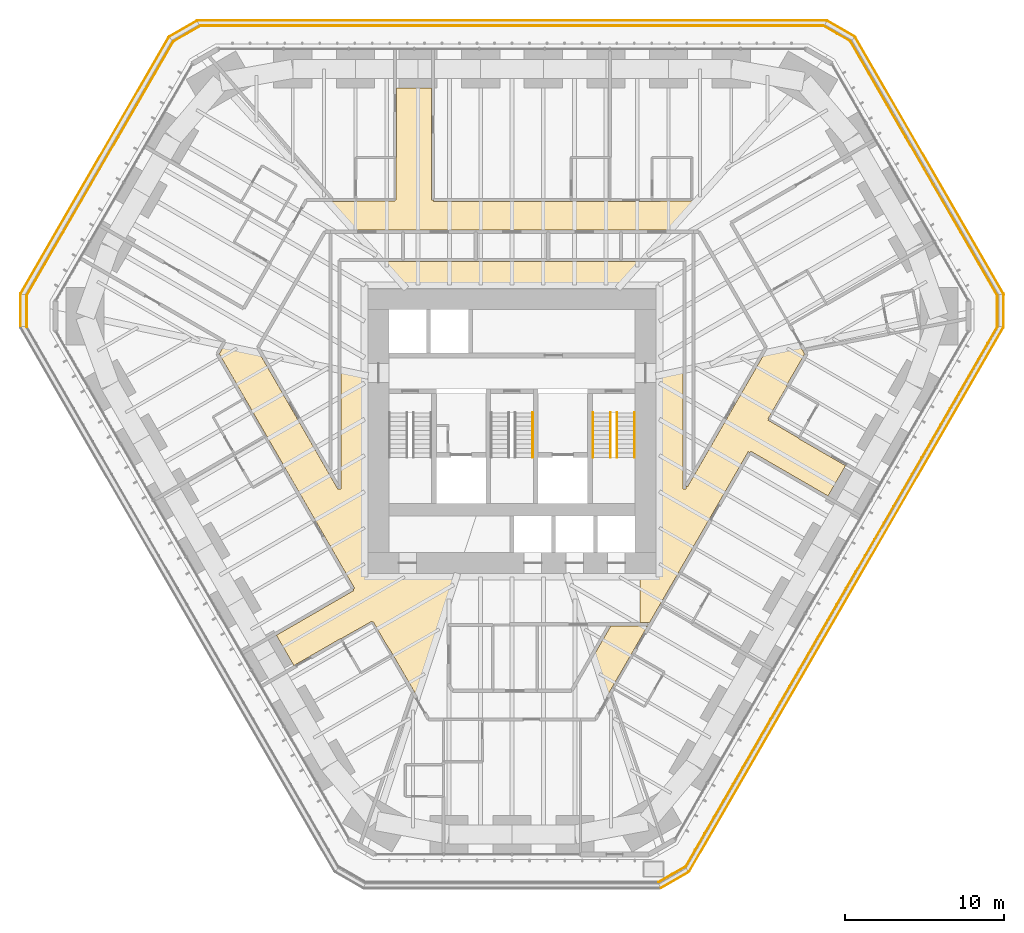
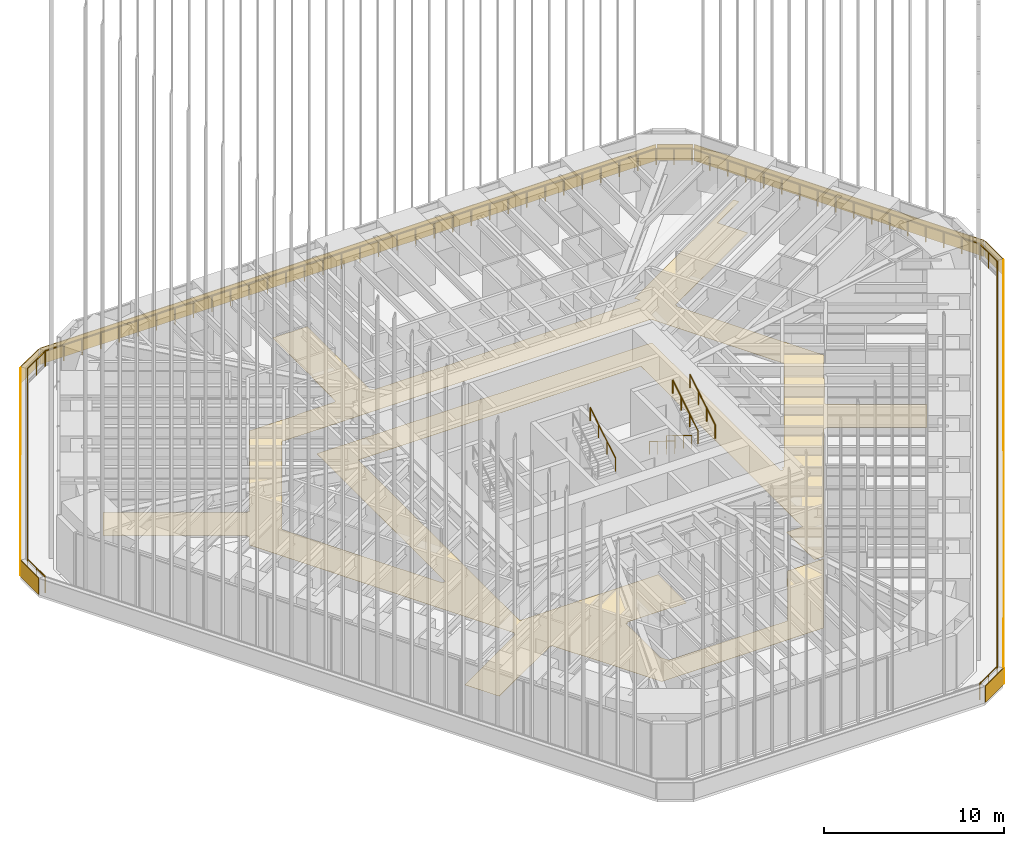
# One storey, part 238 of 238: 14 railings, 10 coverings.
"""IFC4 building model written with IfcOpenShell, lengths in metres."""

from ifc_helpers import new_model, si_unit, direction, frame, frame_2d, origin, origin_2d, place, context, subcontext, project, spatial, polyline, rectangle, circle, outline, extrude, material, layer, layer_set, type_object, element, save


model = new_model("IFC4")

# Units and contexts
model_context = context("Model", 3, precision=1e-05, world=origin(), true_north=direction((0.0, 1.0)))
body_context = subcontext(model_context, "Body", "Model", "MODEL_VIEW")
ifc_project = project(units=[si_unit("LENGTHUNIT", "METRE"), si_unit("AREAUNIT", "SQUARE_METRE"), si_unit("VOLUMEUNIT", "CUBIC_METRE"), si_unit("PLANEANGLEUNIT", "RADIAN"), si_unit("MASSUNIT", "GRAM", prefix="KILO")], contexts=[model_context])

# Site, building, storey
site_placement = place(None, origin())
site = spatial("IfcSite", under=ifc_project, at=site_placement, CompositionType="ELEMENT")
building_placement = place(site_placement, origin())
building = spatial("IfcBuilding", under=site, at=building_placement, Name="Sandreach Pilgrim Tower", CompositionType="ELEMENT")
storey_placement = place(building_placement, frame((0.0, 0.0, 96.800048828125)))
storey = spatial("IfcBuildingStorey", under=building, at=storey_placement, Name="L23", CompositionType="ELEMENT", Elevation=96.800048828125)

# Covering
ifc_material_1 = material(Name="Nylon carpet tile on the slab", Category="textile")
ifc_layer_1 = layer(ifc_material_1, 0.008056640625)
ifc_layer_set_1 = layer_set([ifc_layer_1], Name="Carpet tile")
covering_type_1 = type_object("IfcCoveringType", Name="Carpet tile", PredefinedType="FLOORING", material=ifc_layer_set_1)
covering_1_placement = place(storey_placement, origin())
element("IfcCovering", 1, at=covering_1_placement, inside=storey, type_object=covering_type_1, Name="Floor finish 23C Corridor 23", PredefinedType="FLOORING", context=body_context, shape_type="SweptSolid", body=[
    extrude(outline(polyline([(-24.987548828125, 8.184814453125), (-23.88671875, 10.09130859375), (-16.929931640625, 6.073486328125), (-16.869873046875, 6.165771484375), (-16.788330078125, 6.11865234375), (-12.872314453125, 12.889892578125), (-9.81005859375, 12.889892578125), (-9.81005859375, 12.929931640625), (-7.360107421875, 12.929931640625), (-7.360107421875, 12.989013671875), (-7.300048828125, 12.989990234375), (-7.284912109375, 15.659912109375), (-7.260009765625, 15.659912109375), (-7.260009765625, 20.03369140625), (-5.06005859375, 20.03369140625), (-5.06005859375, 12.989990234375), (-4.949951171875, 12.989990234375), (-4.949951171875, 12.889892578125), (8.820068359375, 12.889892578125), (10.1357421875, 12.929931640625), (11.25, 12.929931640625), (11.25, 12.9638671875), (11.295166015625, 12.950439453125), (11.308349609375, 12.965576171875), (12.234375, 12.993896484375), (12.049560546875, 13.314208984375), (21.58447265625, 18.8193359375), (21.759521484375, 18.515625), (19.707275390625, 17.33056640625), (20.6796875, 15.646240234375), (13.719970703125, 11.626708984375), (13.7724609375, 11.52978515625), (13.6884765625, 11.4814453125), (18.412109375, 3.2958984375), (17.263427734375, 1.31005859375), (17.306396484375, 1.28515625), (16.09814453125, -0.7900390625), (16.14892578125, -0.8193359375), (16.119873046875, -0.871826171875), (18.032470703125, -1.9951171875), (18.02001953125, -2.0166015625), (20.981201171875, -3.72705078125), (19.880615234375, -5.63330078125), (15.012939453125, -2.82080078125), (14.962890625, -2.907470703125), (14.863525390625, -2.85009765625), (8.6533203125, -13.60009765625), (8.050048828125, -13.60009765625), (8.050048828125, -10.52001953125), (9.070068359375, -10.52001953125), (9.070068359375, 7.419921875), (-9.070068359375, 7.419921875), (-9.070068359375, -10.52001953125), (-0.175048828125, -10.52001953125), (-0.175048828125, -13.68994140625), (-1.199951171875, -13.67919921875), (-1.199951171875, -13.64990234375), (-3.989990234375, -13.64990234375), (-3.989990234375, -13.75), (-4.10009765625, -13.75), (-4.10009765625, -17.487060546875), (-3.8076171875, -17.989990234375), (3.8076171875, -17.989990234375), (6.2265625, -13.800048828125), (8.537353515625, -13.800048828125), (5.192138671875, -19.590087890625), (-5.192138671875, -19.590087890625), (-7.503662109375, -15.599853515625), (-8.030029296875, -14.767333984375), (-8.738037109375, -13.5400390625), (-8.787841796875, -13.56884765625), (-8.820068359375, -13.51806640625), (-10.748046875, -14.614013671875), (-10.760009765625, -14.593505859375), (-13.72021484375, -16.30322265625), (-14.821044921875, -14.396728515625), (-9.952880859375, -11.583984375), (-10.00048828125, -11.501708984375), (-9.9033203125, -11.440185546875), (-18.41455078125, 3.30029296875), (-18.0009765625, 4.01708984375), (-18.083251953125, 4.064453125), (-18.030029296875, 4.16650390625), (-24.987548828125, 8.184814453125)]), holes=[polyline([(-16.095458984375, 3.699951171875), (-10.965576171875, -5.18994140625), (-10.85009765625, -5.19482421875), (-10.75, -5.18994140625), (-10.75, 9.10009765625), (10.75, 9.10009765625), (10.75, -5.18994140625), (10.949951171875, -5.18994140625), (10.949951171875, -4.99365234375), (11.047119140625, -5.050048828125), (16.095458984375, 3.699951171875), (11.82763671875, 11.090087890625), (-11.82763671875, 11.090087890625), (-16.095458984375, 3.699951171875)])]), origin(), (0.0, 0.0, 1.0), 0.008056640625),
])

# Railings
ifc_material_2 = material(Name="Galvanised steel guardrail", Category="steel")
railing_type_1 = type_object("IfcRailingType", Name="Setback roof guard", PredefinedType="GUARDRAIL", material=ifc_material_2)
railing_1_placement = place(storey_placement, frame((-19.592041015625, 23.939208984375, 0.0)))
element("IfcRailing", 2, at=railing_1_placement, inside=storey, type_object=railing_type_1, Name="Setback maintenance roof guard L23 1", PredefinedType="GUARDRAIL", context=body_context, shape_type="SweptSolid", body=[
    extrude(circle(Radius=0.02392578125, at=origin_2d()), frame((0.0, 0.0, 1.076171875), z_axis=(-0.86721455478, -0.497934650308, 0.0), x_axis=(0.497934650308, -0.86721455478, 0.0)), (0.0, 0.0, 1.0), 1.975341796875),
    extrude(circle(Radius=0.02099609375, at=origin_2d()), origin(), (0.0, 0.0, 1.0), 1.052001953125),
    extrude(circle(Radius=0.02099609375, at=origin_2d()), frame((-0.8564453125, -0.49169921875, 0.0)), (0.0, 0.0, 1.0), 1.052001953125),
    extrude(circle(Radius=0.02099609375, at=origin_2d()), frame((-1.713134765625, -0.983642578125, 0.0)), (0.0, 0.0, 1.0), 1.052001953125),
])
railing_2_placement = place(storey_placement, frame((-21.30517578125, 22.95556640625, 0.0)))
element("IfcRailing", 3, at=railing_2_placement, inside=storey, type_object=railing_type_1, Name="Setback maintenance roof guard L23 2", PredefinedType="GUARDRAIL", context=body_context, shape_type="SweptSolid", body=[
    extrude(circle(Radius=0.02392578125, at=origin_2d()), frame((0.0, 0.0, 1.076171875), z_axis=(-0.500003393015, -0.866023444818, 0.0), x_axis=(0.866023444818, -0.500003393015, 0.0)), (0.0, 0.0, 1.0), 18.454833984375),
    extrude(circle(Radius=0.02099609375, at=origin_2d()), origin(), (0.0, 0.0, 1.0), 1.052001953125),
    extrude(circle(Radius=0.02099609375, at=origin_2d()), frame((-0.57666015625, -0.9990234375, 0.0)), (0.0, 0.0, 1.0), 1.052001953125),
    extrude(circle(Radius=0.02099609375, at=origin_2d()), frame((-1.1533203125, -1.997802734375, 0.0)), (0.0, 0.0, 1.0), 1.052001953125),
    extrude(circle(Radius=0.02099609375, at=origin_2d()), frame((-1.730224609375, -2.99658203125, 0.0)), (0.0, 0.0, 1.0), 1.052001953125),
    extrude(circle(Radius=0.02099609375, at=origin_2d()), frame((-2.306884765625, -3.99560546875, 0.0)), (0.0, 0.0, 1.0), 1.052001953125),
    extrude(circle(Radius=0.02099609375, at=origin_2d()), frame((-2.883544921875, -4.99462890625, 0.0)), (0.0, 0.0, 1.0), 1.052001953125),
    extrude(circle(Radius=0.02099609375, at=origin_2d()), frame((-3.46044921875, -5.993408203125, 0.0)), (0.0, 0.0, 1.0), 1.052001953125),
    extrude(circle(Radius=0.02099609375, at=origin_2d()), frame((-4.037109375, -6.9921875, 0.0)), (0.0, 0.0, 1.0), 1.052001953125),
    extrude(circle(Radius=0.02099609375, at=origin_2d()), frame((-4.61376953125, -7.9912109375, 0.0)), (0.0, 0.0, 1.0), 1.052001953125),
    extrude(circle(Radius=0.02099609375, at=origin_2d()), frame((-5.1904296875, -8.990234375, 0.0)), (0.0, 0.0, 1.0), 1.052001953125),
    extrude(circle(Radius=0.02099609375, at=origin_2d()), frame((-5.76708984375, -9.989013671875, 0.0)), (0.0, 0.0, 1.0), 1.052001953125),
    extrude(circle(Radius=0.02099609375, at=origin_2d()), frame((-6.343994140625, -10.98779296875, 0.0)), (0.0, 0.0, 1.0), 1.052001953125),
    extrude(circle(Radius=0.02099609375, at=origin_2d()), frame((-6.920654296875, -11.98681640625, 0.0)), (0.0, 0.0, 1.0), 1.052001953125),
    extrude(circle(Radius=0.02099609375, at=origin_2d()), frame((-7.497314453125, -12.98583984375, 0.0)), (0.0, 0.0, 1.0), 1.052001953125),
    extrude(circle(Radius=0.02099609375, at=origin_2d()), frame((-8.07421875, -13.984619140625, 0.0)), (0.0, 0.0, 1.0), 1.052001953125),
    extrude(circle(Radius=0.02099609375, at=origin_2d()), frame((-8.65087890625, -14.9833984375, 0.0)), (0.0, 0.0, 1.0), 1.052001953125),
    extrude(circle(Radius=0.02099609375, at=origin_2d()), frame((-9.2275390625, -15.982421875, 0.0)), (0.0, 0.0, 1.0), 1.052001953125),
])
railing_3_placement = place(storey_placement, frame((-30.53271484375, 6.97314453125, 0.0)))
element("IfcRailing", 4, at=railing_3_placement, inside=storey, type_object=railing_type_1, Name="Setback maintenance roof guard L23 3", PredefinedType="GUARDRAIL", context=body_context, shape_type="SweptSolid", body=[
    extrude(circle(Radius=0.02392578125, at=origin_2d()), frame((0.0, 0.0, 1.076171875), z_axis=(0.002471569317, -0.999996945668, 0.0), x_axis=(0.999996945668, 0.002471569317, 0.0)), (0.0, 0.0, 1.0), 1.9755859375),
    extrude(circle(Radius=0.02099609375, at=origin_2d()), origin(), (0.0, 0.0, 1.0), 1.052001953125),
    extrude(circle(Radius=0.02099609375, at=origin_2d()), frame((0.00244140625, -0.98779296875, 0.0)), (0.0, 0.0, 1.0), 1.052001953125),
    extrude(circle(Radius=0.02099609375, at=origin_2d()), frame((0.0048828125, -1.9755859375, 0.0)), (0.0, 0.0, 1.0), 1.052001953125),
])
railing_4_placement = place(storey_placement, frame((9.2275390625, -29.9287109375, 0.0)))
element("IfcRailing", 5, at=railing_4_placement, inside=storey, type_object=railing_type_1, Name="Setback maintenance roof guard L23 7", PredefinedType="GUARDRAIL", context=body_context, shape_type="SweptSolid", body=[
    extrude(circle(Radius=0.02392578125, at=origin_2d()), frame((0.0, 0.0, 1.076171875), z_axis=(0.86480798778, 0.502102722828, 0.0), x_axis=(-0.502102722828, 0.86480798778, 0.0)), (0.0, 0.0, 1.0), 1.9755859375),
    extrude(circle(Radius=0.02099609375, at=origin_2d()), origin(), (0.0, 0.0, 1.0), 1.052001953125),
    extrude(circle(Radius=0.02099609375, at=origin_2d()), frame((0.854248046875, 0.49609375, 0.0)), (0.0, 0.0, 1.0), 1.052001953125),
    extrude(circle(Radius=0.02099609375, at=origin_2d()), frame((1.70849609375, 0.991943359375, 0.0)), (0.0, 0.0, 1.0), 1.052001953125),
])
railing_5_placement = place(storey_placement, frame((10.93603515625, -28.936767578125, 0.0)))
element("IfcRailing", 6, at=railing_5_placement, inside=storey, type_object=railing_type_1, Name="Setback maintenance roof guard L23 8", PredefinedType="GUARDRAIL", context=body_context, shape_type="SweptSolid", body=[
    extrude(circle(Radius=0.02392578125, at=origin_2d()), frame((0.0, 0.0, 1.076171875), z_axis=(0.4999962585, 0.86602756393, 0.0), x_axis=(-0.86602756393, 0.4999962585, 0.0)), (0.0, 0.0, 1.0), 39.183837890625),
    extrude(circle(Radius=0.02099609375, at=origin_2d()), origin(), (0.0, 0.0, 1.0), 1.052001953125),
    extrude(circle(Radius=0.02099609375, at=origin_2d()), frame((0.59375, 1.0283203125, 0.0)), (0.0, 0.0, 1.0), 1.052001953125),
    extrude(circle(Radius=0.02099609375, at=origin_2d()), frame((1.1875, 2.056640625, 0.0)), (0.0, 0.0, 1.0), 1.052001953125),
    extrude(circle(Radius=0.02099609375, at=origin_2d()), frame((1.781005859375, 3.0849609375, 0.0)), (0.0, 0.0, 1.0), 1.052001953125),
    extrude(circle(Radius=0.02099609375, at=origin_2d()), frame((2.374755859375, 4.11328125, 0.0)), (0.0, 0.0, 1.0), 1.052001953125),
    extrude(circle(Radius=0.02099609375, at=origin_2d()), frame((2.968505859375, 5.1416015625, 0.0)), (0.0, 0.0, 1.0), 1.052001953125),
    extrude(circle(Radius=0.02099609375, at=origin_2d()), frame((3.562255859375, 6.169921875, 0.0)), (0.0, 0.0, 1.0), 1.052001953125),
    extrude(circle(Radius=0.02099609375, at=origin_2d()), frame((4.15576171875, 7.1982421875, 0.0)), (0.0, 0.0, 1.0), 1.052001953125),
    extrude(circle(Radius=0.02099609375, at=origin_2d()), frame((4.74951171875, 8.2265625, 0.0)), (0.0, 0.0, 1.0), 1.052001953125),
    extrude(circle(Radius=0.02099609375, at=origin_2d()), frame((5.34326171875, 9.2548828125, 0.0)), (0.0, 0.0, 1.0), 1.052001953125),
    extrude(circle(Radius=0.02099609375, at=origin_2d()), frame((5.93701171875, 10.283203125, 0.0)), (0.0, 0.0, 1.0), 1.052001953125),
    extrude(circle(Radius=0.02099609375, at=origin_2d()), frame((6.530517578125, 11.3115234375, 0.0)), (0.0, 0.0, 1.0), 1.052001953125),
    extrude(circle(Radius=0.02099609375, at=origin_2d()), frame((7.124267578125, 12.33984375, 0.0)), (0.0, 0.0, 1.0), 1.052001953125),
    extrude(circle(Radius=0.02099609375, at=origin_2d()), frame((7.718017578125, 13.3681640625, 0.0)), (0.0, 0.0, 1.0), 1.052001953125),
    extrude(circle(Radius=0.02099609375, at=origin_2d()), frame((8.311767578125, 14.396484375, 0.0)), (0.0, 0.0, 1.0), 1.052001953125),
    extrude(circle(Radius=0.02099609375, at=origin_2d()), frame((8.9052734375, 15.4248046875, 0.0)), (0.0, 0.0, 1.0), 1.052001953125),
    extrude(circle(Radius=0.02099609375, at=origin_2d()), frame((9.4990234375, 16.453125, 0.0)), (0.0, 0.0, 1.0), 1.052001953125),
    extrude(circle(Radius=0.02099609375, at=origin_2d()), frame((10.0927734375, 17.481201171875, 0.0)), (0.0, 0.0, 1.0), 1.052001953125),
    extrude(circle(Radius=0.02099609375, at=origin_2d()), frame((10.6865234375, 18.509521484375, 0.0)), (0.0, 0.0, 1.0), 1.052001953125),
    extrude(circle(Radius=0.02099609375, at=origin_2d()), frame((11.280029296875, 19.537841796875, 0.0)), (0.0, 0.0, 1.0), 1.052001953125),
    extrude(circle(Radius=0.02099609375, at=origin_2d()), frame((11.873779296875, 20.566162109375, 0.0)), (0.0, 0.0, 1.0), 1.052001953125),
    extrude(circle(Radius=0.02099609375, at=origin_2d()), frame((12.467529296875, 21.594482421875, 0.0)), (0.0, 0.0, 1.0), 1.052001953125),
    extrude(circle(Radius=0.02099609375, at=origin_2d()), frame((13.061279296875, 22.622802734375, 0.0)), (0.0, 0.0, 1.0), 1.052001953125),
    extrude(circle(Radius=0.02099609375, at=origin_2d()), frame((13.65478515625, 23.651123046875, 0.0)), (0.0, 0.0, 1.0), 1.052001953125),
    extrude(circle(Radius=0.02099609375, at=origin_2d()), frame((14.24853515625, 24.679443359375, 0.0)), (0.0, 0.0, 1.0), 1.052001953125),
    extrude(circle(Radius=0.02099609375, at=origin_2d()), frame((14.84228515625, 25.707763671875, 0.0)), (0.0, 0.0, 1.0), 1.052001953125),
    extrude(circle(Radius=0.02099609375, at=origin_2d()), frame((15.43603515625, 26.736083984375, 0.0)), (0.0, 0.0, 1.0), 1.052001953125),
    extrude(circle(Radius=0.02099609375, at=origin_2d()), frame((16.029541015625, 27.764404296875, 0.0)), (0.0, 0.0, 1.0), 1.052001953125),
    extrude(circle(Radius=0.02099609375, at=origin_2d()), frame((16.623291015625, 28.792724609375, 0.0)), (0.0, 0.0, 1.0), 1.052001953125),
    extrude(circle(Radius=0.02099609375, at=origin_2d()), frame((17.217041015625, 29.821044921875, 0.0)), (0.0, 0.0, 1.0), 1.052001953125),
    extrude(circle(Radius=0.02099609375, at=origin_2d()), frame((17.810791015625, 30.849365234375, 0.0)), (0.0, 0.0, 1.0), 1.052001953125),
    extrude(circle(Radius=0.02099609375, at=origin_2d()), frame((18.404296875, 31.877685546875, 0.0)), (0.0, 0.0, 1.0), 1.052001953125),
    extrude(circle(Radius=0.02099609375, at=origin_2d()), frame((18.998046875, 32.906005859375, 0.0)), (0.0, 0.0, 1.0), 1.052001953125),
    extrude(circle(Radius=0.02099609375, at=origin_2d()), frame((19.591796875, 33.934326171875, 0.0)), (0.0, 0.0, 1.0), 1.052001953125),
])
railing_6_placement = place(storey_placement, frame((30.52783203125, 4.99755859375, 0.0)))
element("IfcRailing", 7, at=railing_6_placement, inside=storey, type_object=railing_type_1, Name="Setback maintenance roof guard L23 9", PredefinedType="GUARDRAIL", context=body_context, shape_type="SweptSolid", body=[
    extrude(circle(Radius=0.02392578125, at=origin_2d()), frame((0.0, 0.0, 1.076171875), z_axis=(0.002471569317, 0.999996945668, 0.0), x_axis=(-0.999996945668, 0.002471569317, 0.0)), (0.0, 0.0, 1.0), 1.9755859375),
    extrude(circle(Radius=0.02099609375, at=origin_2d()), origin(), (0.0, 0.0, 1.0), 1.052001953125),
    extrude(circle(Radius=0.02099609375, at=origin_2d()), frame((0.00244140625, 0.98779296875, 0.0)), (0.0, 0.0, 1.0), 1.052001953125),
    extrude(circle(Radius=0.02099609375, at=origin_2d()), frame((0.0048828125, 1.9755859375, 0.0)), (0.0, 0.0, 1.0), 1.052001953125),
])
railing_7_placement = place(storey_placement, frame((30.53271484375, 6.97314453125, 0.0)))
element("IfcRailing", 8, at=railing_7_placement, inside=storey, type_object=railing_type_1, Name="Setback maintenance roof guard L23 10", PredefinedType="GUARDRAIL", context=body_context, shape_type="SweptSolid", body=[
    extrude(circle(Radius=0.02392578125, at=origin_2d()), frame((0.0, 0.0, 1.076171875), z_axis=(-0.500003393015, 0.866023444818, 0.0), x_axis=(-0.866023444818, -0.500003393015, 0.0)), (0.0, 0.0, 1.0), 18.454833984375),
    extrude(circle(Radius=0.02099609375, at=origin_2d()), origin(), (0.0, 0.0, 1.0), 1.052001953125),
    extrude(circle(Radius=0.02099609375, at=origin_2d()), frame((-0.57666015625, 0.9990234375, 0.0)), (0.0, 0.0, 1.0), 1.052001953125),
    extrude(circle(Radius=0.02099609375, at=origin_2d()), frame((-1.1533203125, 1.997802734375, 0.0)), (0.0, 0.0, 1.0), 1.052001953125),
    extrude(circle(Radius=0.02099609375, at=origin_2d()), frame((-1.730224609375, 2.99658203125, 0.0)), (0.0, 0.0, 1.0), 1.052001953125),
    extrude(circle(Radius=0.02099609375, at=origin_2d()), frame((-2.306884765625, 3.99560546875, 0.0)), (0.0, 0.0, 1.0), 1.052001953125),
    extrude(circle(Radius=0.02099609375, at=origin_2d()), frame((-2.883544921875, 4.99462890625, 0.0)), (0.0, 0.0, 1.0), 1.052001953125),
    extrude(circle(Radius=0.02099609375, at=origin_2d()), frame((-3.46044921875, 5.993408203125, 0.0)), (0.0, 0.0, 1.0), 1.052001953125),
    extrude(circle(Radius=0.02099609375, at=origin_2d()), frame((-4.037109375, 6.9921875, 0.0)), (0.0, 0.0, 1.0), 1.052001953125),
    extrude(circle(Radius=0.02099609375, at=origin_2d()), frame((-4.61376953125, 7.9912109375, 0.0)), (0.0, 0.0, 1.0), 1.052001953125),
    extrude(circle(Radius=0.02099609375, at=origin_2d()), frame((-5.1904296875, 8.990234375, 0.0)), (0.0, 0.0, 1.0), 1.052001953125),
    extrude(circle(Radius=0.02099609375, at=origin_2d()), frame((-5.76708984375, 9.989013671875, 0.0)), (0.0, 0.0, 1.0), 1.052001953125),
    extrude(circle(Radius=0.02099609375, at=origin_2d()), frame((-6.343994140625, 10.98779296875, 0.0)), (0.0, 0.0, 1.0), 1.052001953125),
    extrude(circle(Radius=0.02099609375, at=origin_2d()), frame((-6.920654296875, 11.98681640625, 0.0)), (0.0, 0.0, 1.0), 1.052001953125),
    extrude(circle(Radius=0.02099609375, at=origin_2d()), frame((-7.497314453125, 12.98583984375, 0.0)), (0.0, 0.0, 1.0), 1.052001953125),
    extrude(circle(Radius=0.02099609375, at=origin_2d()), frame((-8.07421875, 13.984619140625, 0.0)), (0.0, 0.0, 1.0), 1.052001953125),
    extrude(circle(Radius=0.02099609375, at=origin_2d()), frame((-8.65087890625, 14.9833984375, 0.0)), (0.0, 0.0, 1.0), 1.052001953125),
    extrude(circle(Radius=0.02099609375, at=origin_2d()), frame((-9.2275390625, 15.982421875, 0.0)), (0.0, 0.0, 1.0), 1.052001953125),
])
railing_8_placement = place(storey_placement, frame((21.30517578125, 22.95556640625, 0.0)))
element("IfcRailing", 9, at=railing_8_placement, inside=storey, type_object=railing_type_1, Name="Setback maintenance roof guard L23 11", PredefinedType="GUARDRAIL", context=body_context, shape_type="SweptSolid", body=[
    extrude(circle(Radius=0.02392578125, at=origin_2d()), frame((0.0, 0.0, 1.076171875), z_axis=(-0.86721455478, 0.497934650308, 0.0), x_axis=(-0.497934650308, -0.86721455478, 0.0)), (0.0, 0.0, 1.0), 1.975341796875),
    extrude(circle(Radius=0.02099609375, at=origin_2d()), origin(), (0.0, 0.0, 1.0), 1.052001953125),
    extrude(circle(Radius=0.02099609375, at=origin_2d()), frame((-0.8564453125, 0.49169921875, 0.0)), (0.0, 0.0, 1.0), 1.052001953125),
    extrude(circle(Radius=0.02099609375, at=origin_2d()), frame((-1.713134765625, 0.983642578125, 0.0)), (0.0, 0.0, 1.0), 1.052001953125),
])
railing_9_placement = place(storey_placement, frame((19.592041015625, 23.939208984375, 0.0)))
element("IfcRailing", 10, at=railing_9_placement, inside=storey, type_object=railing_type_1, Name="Setback maintenance roof guard L23 12", PredefinedType="GUARDRAIL", context=body_context, shape_type="SweptSolid", body=[
    extrude(circle(Radius=0.02392578125, at=origin_2d()), frame((0.0, 0.0, 1.076171875), z_axis=(-1.0, 0.0, 0.0), x_axis=(0.0, -1.0, 0.0)), (0.0, 0.0, 1.0), 39.18408203125),
    extrude(circle(Radius=0.02099609375, at=origin_2d()), origin(), (0.0, 0.0, 1.0), 1.052001953125),
    extrude(circle(Radius=0.02099609375, at=origin_2d()), frame((-1.1875, 0.0, 0.0)), (0.0, 0.0, 1.0), 1.052001953125),
    extrude(circle(Radius=0.02099609375, at=origin_2d()), frame((-2.374755859375, 0.0, 0.0)), (0.0, 0.0, 1.0), 1.052001953125),
    extrude(circle(Radius=0.02099609375, at=origin_2d()), frame((-3.562255859375, 0.0, 0.0)), (0.0, 0.0, 1.0), 1.052001953125),
    extrude(circle(Radius=0.02099609375, at=origin_2d()), frame((-4.74951171875, 0.0, 0.0)), (0.0, 0.0, 1.0), 1.052001953125),
    extrude(circle(Radius=0.02099609375, at=origin_2d()), frame((-5.93701171875, 0.0, 0.0)), (0.0, 0.0, 1.0), 1.052001953125),
    extrude(circle(Radius=0.02099609375, at=origin_2d()), frame((-7.124267578125, 0.0, 0.0)), (0.0, 0.0, 1.0), 1.052001953125),
    extrude(circle(Radius=0.02099609375, at=origin_2d()), frame((-8.311767578125, 0.0, 0.0)), (0.0, 0.0, 1.0), 1.052001953125),
    extrude(circle(Radius=0.02099609375, at=origin_2d()), frame((-9.499267578125, 0.0, 0.0)), (0.0, 0.0, 1.0), 1.052001953125),
    extrude(circle(Radius=0.02099609375, at=origin_2d()), frame((-10.6865234375, 0.0, 0.0)), (0.0, 0.0, 1.0), 1.052001953125),
    extrude(circle(Radius=0.02099609375, at=origin_2d()), frame((-11.8740234375, 0.0, 0.0)), (0.0, 0.0, 1.0), 1.052001953125),
    extrude(circle(Radius=0.02099609375, at=origin_2d()), frame((-13.061279296875, 0.0, 0.0)), (0.0, 0.0, 1.0), 1.052001953125),
    extrude(circle(Radius=0.02099609375, at=origin_2d()), frame((-14.248779296875, 0.0, 0.0)), (0.0, 0.0, 1.0), 1.052001953125),
    extrude(circle(Radius=0.02099609375, at=origin_2d()), frame((-15.43603515625, 0.0, 0.0)), (0.0, 0.0, 1.0), 1.052001953125),
    extrude(circle(Radius=0.02099609375, at=origin_2d()), frame((-16.62353515625, 0.0, 0.0)), (0.0, 0.0, 1.0), 1.052001953125),
    extrude(circle(Radius=0.02099609375, at=origin_2d()), frame((-17.81103515625, 0.0, 0.0)), (0.0, 0.0, 1.0), 1.052001953125),
    extrude(circle(Radius=0.02099609375, at=origin_2d()), frame((-18.998291015625, 0.0, 0.0)), (0.0, 0.0, 1.0), 1.052001953125),
    extrude(circle(Radius=0.02099609375, at=origin_2d()), frame((-20.185791015625, 0.0, 0.0)), (0.0, 0.0, 1.0), 1.052001953125),
    extrude(circle(Radius=0.02099609375, at=origin_2d()), frame((-21.373046875, 0.0, 0.0)), (0.0, 0.0, 1.0), 1.052001953125),
    extrude(circle(Radius=0.02099609375, at=origin_2d()), frame((-22.560546875, 0.0, 0.0)), (0.0, 0.0, 1.0), 1.052001953125),
    extrude(circle(Radius=0.02099609375, at=origin_2d()), frame((-23.748046875, 0.0, 0.0)), (0.0, 0.0, 1.0), 1.052001953125),
    extrude(circle(Radius=0.02099609375, at=origin_2d()), frame((-24.935302734375, 0.0, 0.0)), (0.0, 0.0, 1.0), 1.052001953125),
    extrude(circle(Radius=0.02099609375, at=origin_2d()), frame((-26.122802734375, 0.0, 0.0)), (0.0, 0.0, 1.0), 1.052001953125),
    extrude(circle(Radius=0.02099609375, at=origin_2d()), frame((-27.31005859375, 0.0, 0.0)), (0.0, 0.0, 1.0), 1.052001953125),
    extrude(circle(Radius=0.02099609375, at=origin_2d()), frame((-28.49755859375, 0.0, 0.0)), (0.0, 0.0, 1.0), 1.052001953125),
    extrude(circle(Radius=0.02099609375, at=origin_2d()), frame((-29.684814453125, 0.0, 0.0)), (0.0, 0.0, 1.0), 1.052001953125),
    extrude(circle(Radius=0.02099609375, at=origin_2d()), frame((-30.872314453125, 0.0, 0.0)), (0.0, 0.0, 1.0), 1.052001953125),
    extrude(circle(Radius=0.02099609375, at=origin_2d()), frame((-32.059814453125, 0.0, 0.0)), (0.0, 0.0, 1.0), 1.052001953125),
    extrude(circle(Radius=0.02099609375, at=origin_2d()), frame((-33.2470703125, 0.0, 0.0)), (0.0, 0.0, 1.0), 1.052001953125),
    extrude(circle(Radius=0.02099609375, at=origin_2d()), frame((-34.4345703125, 0.0, 0.0)), (0.0, 0.0, 1.0), 1.052001953125),
    extrude(circle(Radius=0.02099609375, at=origin_2d()), frame((-35.621826171875, 0.0, 0.0)), (0.0, 0.0, 1.0), 1.052001953125),
    extrude(circle(Radius=0.02099609375, at=origin_2d()), frame((-36.809326171875, 0.0, 0.0)), (0.0, 0.0, 1.0), 1.052001953125),
    extrude(circle(Radius=0.02099609375, at=origin_2d()), frame((-37.99658203125, 0.0, 0.0)), (0.0, 0.0, 1.0), 1.052001953125),
    extrude(circle(Radius=0.02099609375, at=origin_2d()), frame((-39.18408203125, 0.0, 0.0)), (0.0, 0.0, 1.0), 1.052001953125),
])
ifc_material_3 = material(Name="Stainless steel tube", Category="steel")
railing_type_2 = type_object("IfcRailingType", Name="Stair handrail", PredefinedType="HANDRAIL", material=ifc_material_3)
railing_10_placement = place(storey_placement, frame((1.300048828125, -3.199951171875, 2.07275390625)))
element("IfcRailing", 11, at=railing_10_placement, inside=storey, type_object=railing_type_2, Name="Handrail ST3 L23 flight 2", PredefinedType="HANDRAIL", context=body_context, shape_type="SweptSolid", body=[
    extrude(circle(Radius=0.02392578125, at=origin_2d()), frame((0.0, 0.0, 0.8759765625), z_axis=(0.0, 0.851089632645, 0.525020415988), x_axis=(-1.0, 0.0, 0.0)), (0.0, 0.0, 1.0), 3.2900390625),
    extrude(circle(Radius=0.02099609375, at=origin_2d()), origin(), (0.0, 0.0, 1.0), 0.851806640625),
    extrude(circle(Radius=0.02099609375, at=origin_2d()), frame((0.0, 0.933349609375, 0.57568359375)), (0.0, 0.0, 1.0), 0.851806640625),
    extrude(circle(Radius=0.02099609375, at=origin_2d()), frame((0.0, 1.86669921875, 1.151611328125)), (0.0, 0.0, 1.0), 0.851806640625),
    extrude(circle(Radius=0.02099609375, at=origin_2d()), frame((0.0, 2.800048828125, 1.727294921875)), (0.0, 0.0, 1.0), 0.851806640625),
])
for number, where, name in (
    (12, (6.199951171875, -0.39990234375, 0.172607421875), "Handrail ST2 L23 flight 1"),
    (13, (5.10009765625, -0.39990234375, 0.172607421875), "Handrail ST2 L23 flight 1"),
):
    element("IfcRailing", number, at=place(storey_placement, frame(where)), inside=storey, type_object=railing_type_2, Name=name, PredefinedType="HANDRAIL", context=body_context, shape_type="SweptSolid", body=[
        extrude(circle(Radius=0.02392578125, at=origin_2d()), frame((0.0, 0.0, 0.8759765625), z_axis=(0.0, -0.851089632645, 0.525020415988), x_axis=(1.0, 0.0, 0.0)), (0.0, 0.0, 1.0), 3.2900390625),
        extrude(circle(Radius=0.02099609375, at=origin_2d()), origin(), (0.0, 0.0, 1.0), 0.851806640625),
        extrude(circle(Radius=0.02099609375, at=origin_2d()), frame((0.0, -0.933349609375, 0.57568359375)), (0.0, 0.0, 1.0), 0.851806640625),
        extrude(circle(Radius=0.02099609375, at=origin_2d()), frame((0.0, -1.86669921875, 1.151611328125)), (0.0, 0.0, 1.0), 0.851806640625),
        extrude(circle(Radius=0.02099609375, at=origin_2d()), frame((0.0, -2.800048828125, 1.727294921875)), (0.0, 0.0, 1.0), 0.851806640625),
    ])
for number, where, name in (
    (14, (6.60009765625, -3.199951171875, 2.07275390625), "Handrail ST2 L23 flight 2"),
    (15, (7.699951171875, -3.199951171875, 2.07275390625), "Handrail ST2 L23 flight 2"),
):
    element("IfcRailing", number, at=place(storey_placement, frame(where)), inside=storey, type_object=railing_type_2, Name=name, PredefinedType="HANDRAIL", context=body_context, shape_type="SweptSolid", body=[
        extrude(circle(Radius=0.02392578125, at=origin_2d()), frame((0.0, 0.0, 0.8759765625), z_axis=(0.0, 0.851089632645, 0.525020415988), x_axis=(-1.0, 0.0, 0.0)), (0.0, 0.0, 1.0), 3.2900390625),
        extrude(circle(Radius=0.02099609375, at=origin_2d()), origin(), (0.0, 0.0, 1.0), 0.851806640625),
        extrude(circle(Radius=0.02099609375, at=origin_2d()), frame((0.0, 0.933349609375, 0.57568359375)), (0.0, 0.0, 1.0), 0.851806640625),
        extrude(circle(Radius=0.02099609375, at=origin_2d()), frame((0.0, 1.86669921875, 1.151611328125)), (0.0, 0.0, 1.0), 0.851806640625),
        extrude(circle(Radius=0.02099609375, at=origin_2d()), frame((0.0, 2.800048828125, 1.727294921875)), (0.0, 0.0, 1.0), 0.851806640625),
    ])

# Coverings
ifc_material_4 = material(Name="Terracotta rainscreen panels on aluminium rails", Category="masonry")
ifc_layer_2 = layer(ifc_material_4, 0.050048828125)
ifc_layer_set_2 = layer_set([ifc_layer_2], Name="Terracotta rainscreen cladding 50")
covering_type_2 = type_object("IfcCoveringType", Name="Terracotta rainscreen cladding 50", PredefinedType="CLADDING", material=ifc_layer_set_2)
covering_2_placement = place(storey_placement, frame((-19.8251953125, 24.2626953125, 0.0), z_axis=(0.0, 0.0, 1.0), x_axis=(-0.866479413317, -0.499212806625, 0.0)))
element("IfcCovering", 16, at=covering_2_placement, inside=storey, type_object=covering_type_2, Name="Rainscreen cladding on setback parapet l23 1", PredefinedType="CLADDING", context=body_context, shape_type="SweptSolid", body=[
    extrude(rectangle(XDim=1.990966796875, YDim=0.050048828125, at=frame_2d((0.99560546875, 0.0))), origin(), (0.0, 0.0, 1.0), 1.099853515625),
])
covering_3_placement = place(storey_placement, frame((-21.605224609375, 23.2138671875, 0.0), z_axis=(0.0, 0.0, 1.0), x_axis=(-0.499993973867, -0.866028882946, 0.0)))
element("IfcCovering", 17, at=covering_3_placement, inside=storey, type_object=covering_type_2, Name="Rainscreen cladding on setback parapet l23 2", PredefinedType="CLADDING", context=body_context, shape_type="SweptSolid", body=[
    extrude(rectangle(XDim=18.602294921875, YDim=0.050048828125, at=frame_2d((9.30126953125, 0.0))), origin(), (0.0, 0.0, 1.0), 1.099853515625),
])
for number, where, z_axis, x_axis, name in (
    (18, (-30.926513671875, 7.028564453125, 0.0), (0.0, 0.0, 1.0), (0.000981113092, -0.999999518708, 0.0), "Rainscreen cladding on setback parapet l23 3"),
    (19, (9.376220703125, -30.29736328125, 0.0), (0.0, 0.0, 1.0), (0.865543806172, 0.500833225334, 0.0), "Rainscreen cladding on setback parapet l23 7"),
):
    element("IfcCovering", number, at=place(storey_placement, frame(where, z_axis=z_axis, x_axis=x_axis)), inside=storey, type_object=covering_type_2, Name=name, PredefinedType="CLADDING", context=body_context, shape_type="SweptSolid", body=[
        extrude(rectangle(XDim=1.99072265625, YDim=0.050048828125, at=frame_2d((0.995361328125, 0.0))), origin(), (0.0, 0.0, 1.0), 1.099853515625),
    ])
covering_4_placement = place(storey_placement, frame((11.154296875, -29.24560546875, 0.0), z_axis=(0.0, 0.0, 1.0), x_axis=(0.499999235055, 0.866025845425, 0.0)))
element("IfcCovering", 20, at=covering_4_placement, inside=storey, type_object=covering_type_2, Name="Rainscreen cladding on setback parapet l23 8", PredefinedType="CLADDING", context=body_context, shape_type="SweptSolid", body=[
    extrude(rectangle(XDim=39.50048828125, YDim=0.050048828125, at=frame_2d((19.750244140625, 0.0))), origin(), (0.0, 0.0, 1.0), 1.099853515625),
])
covering_5_placement = place(storey_placement, frame((30.924560546875, 5.037841796875, 0.0), z_axis=(0.0, 0.0, 1.0), x_axis=(0.000981113092, 0.999999518708, 0.0)))
element("IfcCovering", 21, at=covering_5_placement, inside=storey, type_object=covering_type_2, Name="Rainscreen cladding on setback parapet l23 9", PredefinedType="CLADDING", context=body_context, shape_type="SweptSolid", body=[
    extrude(rectangle(XDim=1.99072265625, YDim=0.050048828125, at=frame_2d((0.995361328125, 0.0))), origin(), (0.0, 0.0, 1.0), 1.099853515625),
])
covering_6_placement = place(storey_placement, frame((30.90625, 7.103759765625, 0.0), z_axis=(0.0, 0.0, 1.0), x_axis=(-0.499993973867, 0.866028882946, 0.0)))
element("IfcCovering", 22, at=covering_6_placement, inside=storey, type_object=covering_type_2, Name="Rainscreen cladding on setback parapet l23 10", PredefinedType="CLADDING", context=body_context, shape_type="SweptSolid", body=[
    extrude(rectangle(XDim=18.602294921875, YDim=0.050048828125, at=frame_2d((9.30126953125, 0.0))), origin(), (0.0, 0.0, 1.0), 1.099853515625),
])
covering_7_placement = place(storey_placement, frame((21.55029296875, 23.268798828125, 0.0), z_axis=(0.0, 0.0, 1.0), x_axis=(-0.866479413317, 0.499212806625, 0.0)))
element("IfcCovering", 23, at=covering_7_placement, inside=storey, type_object=covering_type_2, Name="Rainscreen cladding on setback parapet l23 11", PredefinedType="CLADDING", context=body_context, shape_type="SweptSolid", body=[
    extrude(rectangle(XDim=1.990966796875, YDim=0.050048828125, at=frame_2d((0.99560546875, 0.0))), origin(), (0.0, 0.0, 1.0), 1.099853515625),
])
covering_8_placement = place(storey_placement, frame((19.750244140625, 24.28271484375, 0.0), z_axis=(0.0, 0.0, 1.0), x_axis=(-1.0, 0.0, 0.0)))
element("IfcCovering", 24, at=covering_8_placement, inside=storey, type_object=covering_type_2, Name="Rainscreen cladding on setback parapet l23 12", PredefinedType="CLADDING", context=body_context, shape_type="SweptSolid", body=[
    extrude(rectangle(XDim=39.50048828125, YDim=0.050048828125, at=frame_2d((19.750244140625, 0.0))), origin(), (0.0, 0.0, 1.0), 1.099853515625),
])

save(model, "model.ifc")
